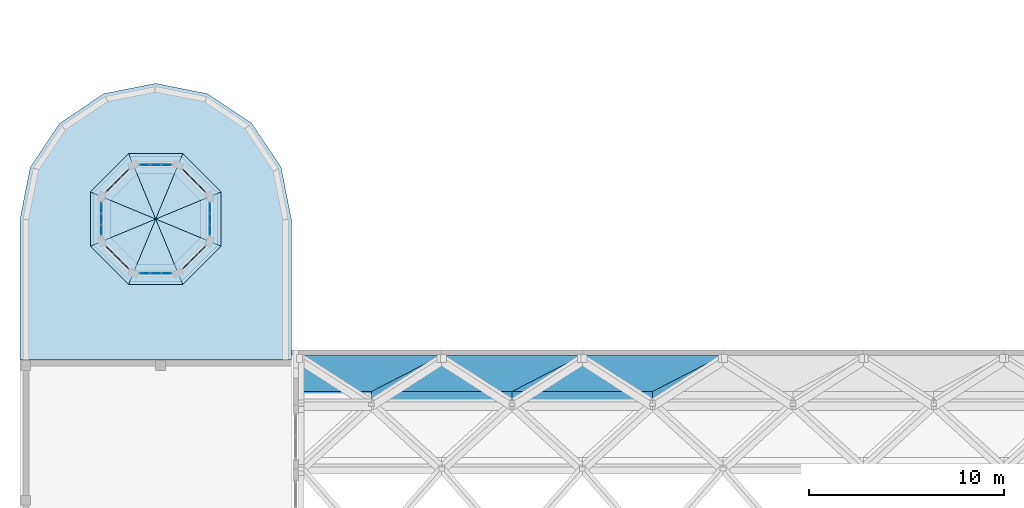
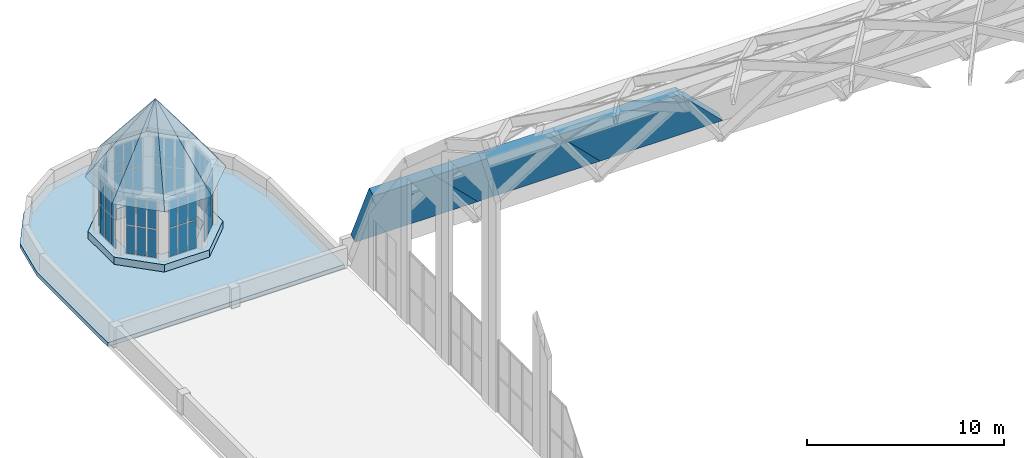
# One storey, part 28 of 52: 48 plates, 13 slabs, 8 elements without a shape of their own.
"""IFC4 building model written with IfcOpenShell, lengths in metres."""

from ifc_helpers import new_model, si_unit, direction, frame, origin, origin_2d, place, context, subcontext, project, spatial, polyline, rectangle, outline, extrude, material, layer, layer_set, type_object, element, aggregate, save


model = new_model("IFC4")

# Units and contexts
model_context = context("Model", 3, precision=1e-05, world=origin(), true_north=direction((0.0, 1.0)))
body_context = subcontext(model_context, "Body", "Model", "MODEL_VIEW")
ifc_project = project(units=[si_unit("LENGTHUNIT", "METRE"), si_unit("AREAUNIT", "SQUARE_METRE"), si_unit("VOLUMEUNIT", "CUBIC_METRE"), si_unit("PLANEANGLEUNIT", "RADIAN"), si_unit("MASSUNIT", "GRAM", prefix="KILO")], contexts=[model_context])

# Site, building, storey
site_placement = place(None, origin())
site = spatial("IfcSite", under=ifc_project, at=site_placement, CompositionType="ELEMENT")
building_placement = place(site_placement, origin())
building = spatial("IfcBuilding", under=site, at=building_placement, Name="Vermilion Court Aquatics Centre", CompositionType="ELEMENT")
storey_placement = place(building_placement, frame((0.0, 0.0, 12.0)))
storey = spatial("IfcBuildingStorey", under=building, at=storey_placement, Name="L02", CompositionType="ELEMENT", Elevation=12.0)

# Curtain wall, plates
ifc_material_1 = material(Name="Aluminium 6063-T5", Category="aluminium")
curtain_wall_type = type_object("IfcCurtainWallType", Name="Rotunda lantern curtain wall", PredefinedType="NOTDEFINED", material=ifc_material_1)
curtain_wall_1_placement = place(storey_placement, origin())
curtain_wall_1 = element("IfcCurtainWall", 1, at=curtain_wall_1_placement, inside=storey, type_object=curtain_wall_type, Name="Rotunda lantern curtain wall", PredefinedType="NOTDEFINED")
ifc_material_2 = material(Name="Glazing", Category="glass")
ifc_layer_1 = layer(ifc_material_2, 0.028076171875)
ifc_layer_set_1 = layer_set([ifc_layer_1], Name="Foyer glazing panel 28")
plate_type = type_object("IfcPlateType", Name="Foyer glazing panel 28", PredefinedType="CURTAIN_PANEL", material=ifc_layer_set_1)
plate_1_placement = place(storey_placement, frame((9.312255859375, 73.5712890625, 0.509765625), z_axis=(0.0, 0.0, 1.0), x_axis=(-0.707106781187, 0.707106781187, 0.0)))
plate_1 = element("IfcPlate", 2, at=plate_1_placement, type_object=plate_type, Name="HRT13 panel 1.1", PredefinedType="CURTAIN_PANEL", context=body_context, shape_type="SweptSolid", body=[
    extrude(rectangle(XDim=0.484375, YDim=0.028076171875, at=origin_2d()), origin(), (0.0, 0.0, 1.0), 1.735107421875),
])
plate_2_placement = place(storey_placement, frame((9.312255859375, 73.5712890625, 2.30517578125), z_axis=(0.0, 0.0, 1.0), x_axis=(-0.707106781187, 0.707106781187, 0.0)))
plate_2 = element("IfcPlate", 3, at=plate_2_placement, type_object=plate_type, Name="HRT13 panel 1.2", PredefinedType="CURTAIN_PANEL", context=body_context, shape_type="SweptSolid", body=[
    extrude(rectangle(XDim=0.484375, YDim=0.028076171875, at=origin_2d()), origin(), (0.0, 0.0, 1.0), 1.735107421875),
])
plate_3_placement = place(storey_placement, frame((8.916748046875, 73.966796875, 0.509765625), z_axis=(0.0, 0.0, 1.0), x_axis=(-0.707106781187, 0.707106781187, 0.0)))
plate_3 = element("IfcPlate", 4, at=plate_3_placement, type_object=plate_type, Name="HRT13 panel 2.1", PredefinedType="CURTAIN_PANEL", context=body_context, shape_type="SweptSolid", body=[
    extrude(rectangle(XDim=0.514404296875, YDim=0.028076171875, at=origin_2d()), origin(), (0.0, 0.0, 1.0), 1.735107421875),
])
plate_4_placement = place(storey_placement, frame((8.916748046875, 73.966796875, 2.30517578125), z_axis=(0.0, 0.0, 1.0), x_axis=(-0.707106781187, 0.707106781187, 0.0)))
plate_4 = element("IfcPlate", 5, at=plate_4_placement, type_object=plate_type, Name="HRT13 panel 2.2", PredefinedType="CURTAIN_PANEL", context=body_context, shape_type="SweptSolid", body=[
    extrude(rectangle(XDim=0.514404296875, YDim=0.028076171875, at=origin_2d()), origin(), (0.0, 0.0, 1.0), 1.735107421875),
])
plate_5_placement = place(storey_placement, frame((8.521240234375, 74.3623046875, 0.509765625), z_axis=(0.0, 0.0, 1.0), x_axis=(-0.707106781187, 0.707106781187, 0.0)))
plate_5 = element("IfcPlate", 6, at=plate_5_placement, type_object=plate_type, Name="HRT13 panel 3.1", PredefinedType="CURTAIN_PANEL", context=body_context, shape_type="SweptSolid", body=[
    extrude(rectangle(XDim=0.484375, YDim=0.028076171875, at=origin_2d()), origin(), (0.0, 0.0, 1.0), 1.735107421875),
])
plate_6_placement = place(storey_placement, frame((8.521240234375, 74.3623046875, 2.30517578125), z_axis=(0.0, 0.0, 1.0), x_axis=(-0.707106781187, 0.707106781187, 0.0)))
plate_6 = element("IfcPlate", 7, at=plate_6_placement, type_object=plate_type, Name="HRT13 panel 3.2", PredefinedType="CURTAIN_PANEL", context=body_context, shape_type="SweptSolid", body=[
    extrude(rectangle(XDim=0.484375, YDim=0.028076171875, at=origin_2d()), origin(), (0.0, 0.0, 1.0), 1.735107421875),
])
aggregate(curtain_wall_1, [plate_1, plate_2, plate_3, plate_4, plate_5, plate_6])

curtain_wall_2_placement = place(storey_placement, origin())
curtain_wall_2 = element("IfcCurtainWall", 8, at=curtain_wall_2_placement, inside=storey, type_object=curtain_wall_type, Name="Rotunda lantern curtain wall", PredefinedType="NOTDEFINED")
plate_7_placement = place(storey_placement, frame((7.50927734375, 74.781494140625, 0.509765625), z_axis=(0.0, 0.0, 1.0), x_axis=(-1.0, 0.0, 0.0)))
plate_7 = element("IfcPlate", 9, at=plate_7_placement, type_object=plate_type, Name="HRT13 panel 1.1", PredefinedType="CURTAIN_PANEL", context=body_context, shape_type="SweptSolid", body=[
    extrude(rectangle(XDim=0.484375, YDim=0.028076171875, at=origin_2d()), origin(), (0.0, 0.0, 1.0), 1.735107421875),
])
plate_8_placement = place(storey_placement, frame((7.50927734375, 74.781494140625, 2.30517578125), z_axis=(0.0, 0.0, 1.0), x_axis=(-1.0, 0.0, 0.0)))
plate_8 = element("IfcPlate", 10, at=plate_8_placement, type_object=plate_type, Name="HRT13 panel 1.2", PredefinedType="CURTAIN_PANEL", context=body_context, shape_type="SweptSolid", body=[
    extrude(rectangle(XDim=0.484375, YDim=0.028076171875, at=origin_2d()), origin(), (0.0, 0.0, 1.0), 1.735107421875),
])
plate_9_placement = place(storey_placement, frame((6.949951171875, 74.781494140625, 0.509765625), z_axis=(0.0, 0.0, 1.0), x_axis=(-1.0, 0.0, 0.0)))
plate_9 = element("IfcPlate", 11, at=plate_9_placement, type_object=plate_type, Name="HRT13 panel 2.1", PredefinedType="CURTAIN_PANEL", context=body_context, shape_type="SweptSolid", body=[
    extrude(rectangle(XDim=0.514404296875, YDim=0.028076171875, at=origin_2d()), origin(), (0.0, 0.0, 1.0), 1.735107421875),
])
plate_10_placement = place(storey_placement, frame((6.949951171875, 74.781494140625, 2.30517578125), z_axis=(0.0, 0.0, 1.0), x_axis=(-1.0, 0.0, 0.0)))
plate_10 = element("IfcPlate", 12, at=plate_10_placement, type_object=plate_type, Name="HRT13 panel 2.2", PredefinedType="CURTAIN_PANEL", context=body_context, shape_type="SweptSolid", body=[
    extrude(rectangle(XDim=0.514404296875, YDim=0.028076171875, at=origin_2d()), origin(), (0.0, 0.0, 1.0), 1.735107421875),
])
plate_11_placement = place(storey_placement, frame((6.390625, 74.781494140625, 0.509765625), z_axis=(0.0, 0.0, 1.0), x_axis=(-1.0, 0.0, 0.0)))
plate_11 = element("IfcPlate", 13, at=plate_11_placement, type_object=plate_type, Name="HRT13 panel 3.1", PredefinedType="CURTAIN_PANEL", context=body_context, shape_type="SweptSolid", body=[
    extrude(rectangle(XDim=0.484375, YDim=0.028076171875, at=origin_2d()), origin(), (0.0, 0.0, 1.0), 1.735107421875),
])
plate_12_placement = place(storey_placement, frame((6.390625, 74.781494140625, 2.30517578125), z_axis=(0.0, 0.0, 1.0), x_axis=(-1.0, 0.0, 0.0)))
plate_12 = element("IfcPlate", 14, at=plate_12_placement, type_object=plate_type, Name="HRT13 panel 3.2", PredefinedType="CURTAIN_PANEL", context=body_context, shape_type="SweptSolid", body=[
    extrude(rectangle(XDim=0.484375, YDim=0.028076171875, at=origin_2d()), origin(), (0.0, 0.0, 1.0), 1.735107421875),
])
aggregate(curtain_wall_2, [plate_7, plate_8, plate_9, plate_10, plate_11, plate_12])

curtain_wall_3_placement = place(storey_placement, origin())
curtain_wall_3 = element("IfcCurtainWall", 15, at=curtain_wall_3_placement, inside=storey, type_object=curtain_wall_type, Name="Rotunda lantern curtain wall", PredefinedType="NOTDEFINED")
plate_13_placement = place(storey_placement, frame((5.378662109375, 74.3623046875, 0.509765625), z_axis=(0.0, 0.0, 1.0), x_axis=(-0.707106781187, -0.707106781187, 0.0)))
plate_13 = element("IfcPlate", 16, at=plate_13_placement, type_object=plate_type, Name="HRT13 panel 1.1", PredefinedType="CURTAIN_PANEL", context=body_context, shape_type="SweptSolid", body=[
    extrude(rectangle(XDim=0.484375, YDim=0.028076171875, at=origin_2d()), origin(), (0.0, 0.0, 1.0), 1.735107421875),
])
plate_14_placement = place(storey_placement, frame((5.378662109375, 74.3623046875, 2.30517578125), z_axis=(0.0, 0.0, 1.0), x_axis=(-0.707106781187, -0.707106781187, 0.0)))
plate_14 = element("IfcPlate", 17, at=plate_14_placement, type_object=plate_type, Name="HRT13 panel 1.2", PredefinedType="CURTAIN_PANEL", context=body_context, shape_type="SweptSolid", body=[
    extrude(rectangle(XDim=0.484375, YDim=0.028076171875, at=origin_2d()), origin(), (0.0, 0.0, 1.0), 1.735107421875),
])
plate_15_placement = place(storey_placement, frame((4.983154296875, 73.966796875, 0.509765625), z_axis=(0.0, 0.0, 1.0), x_axis=(-0.707106781187, -0.707106781187, 0.0)))
plate_15 = element("IfcPlate", 18, at=plate_15_placement, type_object=plate_type, Name="HRT13 panel 2.1", PredefinedType="CURTAIN_PANEL", context=body_context, shape_type="SweptSolid", body=[
    extrude(rectangle(XDim=0.514404296875, YDim=0.028076171875, at=origin_2d()), origin(), (0.0, 0.0, 1.0), 1.735107421875),
])
plate_16_placement = place(storey_placement, frame((4.983154296875, 73.966796875, 2.30517578125), z_axis=(0.0, 0.0, 1.0), x_axis=(-0.707106781187, -0.707106781187, 0.0)))
plate_16 = element("IfcPlate", 19, at=plate_16_placement, type_object=plate_type, Name="HRT13 panel 2.2", PredefinedType="CURTAIN_PANEL", context=body_context, shape_type="SweptSolid", body=[
    extrude(rectangle(XDim=0.514404296875, YDim=0.028076171875, at=origin_2d()), origin(), (0.0, 0.0, 1.0), 1.735107421875),
])
plate_17_placement = place(storey_placement, frame((4.587646484375, 73.5712890625, 0.509765625), z_axis=(0.0, 0.0, 1.0), x_axis=(-0.707106781187, -0.707106781187, 0.0)))
plate_17 = element("IfcPlate", 20, at=plate_17_placement, type_object=plate_type, Name="HRT13 panel 3.1", PredefinedType="CURTAIN_PANEL", context=body_context, shape_type="SweptSolid", body=[
    extrude(rectangle(XDim=0.484375, YDim=0.028076171875, at=origin_2d()), origin(), (0.0, 0.0, 1.0), 1.735107421875),
])
plate_18_placement = place(storey_placement, frame((4.587646484375, 73.5712890625, 2.30517578125), z_axis=(0.0, 0.0, 1.0), x_axis=(-0.707106781187, -0.707106781187, 0.0)))
plate_18 = element("IfcPlate", 21, at=plate_18_placement, type_object=plate_type, Name="HRT13 panel 3.2", PredefinedType="CURTAIN_PANEL", context=body_context, shape_type="SweptSolid", body=[
    extrude(rectangle(XDim=0.484375, YDim=0.028076171875, at=origin_2d()), origin(), (0.0, 0.0, 1.0), 1.735107421875),
])
aggregate(curtain_wall_3, [plate_13, plate_14, plate_15, plate_16, plate_17, plate_18])

curtain_wall_4_placement = place(storey_placement, origin())
curtain_wall_4 = element("IfcCurtainWall", 22, at=curtain_wall_4_placement, inside=storey, type_object=curtain_wall_type, Name="Rotunda lantern curtain wall", PredefinedType="NOTDEFINED")
plate_19_placement = place(storey_placement, frame((4.168701171875, 72.559326171875, 0.509765625), z_axis=(0.0, 0.0, 1.0), x_axis=(0.0, -1.0, 0.0)))
plate_19 = element("IfcPlate", 23, at=plate_19_placement, type_object=plate_type, Name="HRT13 panel 1.1", PredefinedType="CURTAIN_PANEL", context=body_context, shape_type="SweptSolid", body=[
    extrude(rectangle(XDim=0.484375, YDim=0.028076171875, at=origin_2d()), origin(), (0.0, 0.0, 1.0), 1.735107421875),
])
plate_20_placement = place(storey_placement, frame((4.168701171875, 72.559326171875, 2.30517578125), z_axis=(0.0, 0.0, 1.0), x_axis=(0.0, -1.0, 0.0)))
plate_20 = element("IfcPlate", 24, at=plate_20_placement, type_object=plate_type, Name="HRT13 panel 1.2", PredefinedType="CURTAIN_PANEL", context=body_context, shape_type="SweptSolid", body=[
    extrude(rectangle(XDim=0.484375, YDim=0.028076171875, at=origin_2d()), origin(), (0.0, 0.0, 1.0), 1.735107421875),
])
plate_21_placement = place(storey_placement, frame((4.168701171875, 72.0, 0.509765625), z_axis=(0.0, 0.0, 1.0), x_axis=(0.0, -1.0, 0.0)))
plate_21 = element("IfcPlate", 25, at=plate_21_placement, type_object=plate_type, Name="HRT13 panel 2.1", PredefinedType="CURTAIN_PANEL", context=body_context, shape_type="SweptSolid", body=[
    extrude(rectangle(XDim=0.514404296875, YDim=0.028076171875, at=origin_2d()), origin(), (0.0, 0.0, 1.0), 1.735107421875),
])
plate_22_placement = place(storey_placement, frame((4.168701171875, 72.0, 2.30517578125), z_axis=(0.0, 0.0, 1.0), x_axis=(0.0, -1.0, 0.0)))
plate_22 = element("IfcPlate", 26, at=plate_22_placement, type_object=plate_type, Name="HRT13 panel 2.2", PredefinedType="CURTAIN_PANEL", context=body_context, shape_type="SweptSolid", body=[
    extrude(rectangle(XDim=0.514404296875, YDim=0.028076171875, at=origin_2d()), origin(), (0.0, 0.0, 1.0), 1.735107421875),
])
plate_23_placement = place(storey_placement, frame((4.168701171875, 71.440673828125, 0.509765625), z_axis=(0.0, 0.0, 1.0), x_axis=(0.0, -1.0, 0.0)))
plate_23 = element("IfcPlate", 27, at=plate_23_placement, type_object=plate_type, Name="HRT13 panel 3.1", PredefinedType="CURTAIN_PANEL", context=body_context, shape_type="SweptSolid", body=[
    extrude(rectangle(XDim=0.484375, YDim=0.028076171875, at=origin_2d()), origin(), (0.0, 0.0, 1.0), 1.735107421875),
])
plate_24_placement = place(storey_placement, frame((4.168701171875, 71.440673828125, 2.30517578125), z_axis=(0.0, 0.0, 1.0), x_axis=(0.0, -1.0, 0.0)))
plate_24 = element("IfcPlate", 28, at=plate_24_placement, type_object=plate_type, Name="HRT13 panel 3.2", PredefinedType="CURTAIN_PANEL", context=body_context, shape_type="SweptSolid", body=[
    extrude(rectangle(XDim=0.484375, YDim=0.028076171875, at=origin_2d()), origin(), (0.0, 0.0, 1.0), 1.735107421875),
])
aggregate(curtain_wall_4, [plate_19, plate_20, plate_21, plate_22, plate_23, plate_24])

curtain_wall_5_placement = place(storey_placement, origin())
curtain_wall_5 = element("IfcCurtainWall", 29, at=curtain_wall_5_placement, inside=storey, type_object=curtain_wall_type, Name="Rotunda lantern curtain wall", PredefinedType="NOTDEFINED")
plate_25_placement = place(storey_placement, frame((4.587646484375, 70.4287109375, 0.509765625), z_axis=(0.0, 0.0, 1.0), x_axis=(0.707106781187, -0.707106781187, 0.0)))
plate_25 = element("IfcPlate", 30, at=plate_25_placement, type_object=plate_type, Name="HRT13 panel 1.1", PredefinedType="CURTAIN_PANEL", context=body_context, shape_type="SweptSolid", body=[
    extrude(rectangle(XDim=0.484375, YDim=0.028076171875, at=origin_2d()), origin(), (0.0, 0.0, 1.0), 1.735107421875),
])
plate_26_placement = place(storey_placement, frame((4.587646484375, 70.4287109375, 2.30517578125), z_axis=(0.0, 0.0, 1.0), x_axis=(0.707106781187, -0.707106781187, 0.0)))
plate_26 = element("IfcPlate", 31, at=plate_26_placement, type_object=plate_type, Name="HRT13 panel 1.2", PredefinedType="CURTAIN_PANEL", context=body_context, shape_type="SweptSolid", body=[
    extrude(rectangle(XDim=0.484375, YDim=0.028076171875, at=origin_2d()), origin(), (0.0, 0.0, 1.0), 1.735107421875),
])
plate_27_placement = place(storey_placement, frame((4.983154296875, 70.033203125, 0.509765625), z_axis=(0.0, 0.0, 1.0), x_axis=(0.707106781187, -0.707106781187, 0.0)))
plate_27 = element("IfcPlate", 32, at=plate_27_placement, type_object=plate_type, Name="HRT13 panel 2.1", PredefinedType="CURTAIN_PANEL", context=body_context, shape_type="SweptSolid", body=[
    extrude(rectangle(XDim=0.514404296875, YDim=0.028076171875, at=origin_2d()), origin(), (0.0, 0.0, 1.0), 1.735107421875),
])
plate_28_placement = place(storey_placement, frame((4.983154296875, 70.033203125, 2.30517578125), z_axis=(0.0, 0.0, 1.0), x_axis=(0.707106781187, -0.707106781187, 0.0)))
plate_28 = element("IfcPlate", 33, at=plate_28_placement, type_object=plate_type, Name="HRT13 panel 2.2", PredefinedType="CURTAIN_PANEL", context=body_context, shape_type="SweptSolid", body=[
    extrude(rectangle(XDim=0.514404296875, YDim=0.028076171875, at=origin_2d()), origin(), (0.0, 0.0, 1.0), 1.735107421875),
])
plate_29_placement = place(storey_placement, frame((5.378662109375, 69.6376953125, 0.509765625), z_axis=(0.0, 0.0, 1.0), x_axis=(0.707106781187, -0.707106781187, 0.0)))
plate_29 = element("IfcPlate", 34, at=plate_29_placement, type_object=plate_type, Name="HRT13 panel 3.1", PredefinedType="CURTAIN_PANEL", context=body_context, shape_type="SweptSolid", body=[
    extrude(rectangle(XDim=0.484375, YDim=0.028076171875, at=origin_2d()), origin(), (0.0, 0.0, 1.0), 1.735107421875),
])
plate_30_placement = place(storey_placement, frame((5.378662109375, 69.6376953125, 2.30517578125), z_axis=(0.0, 0.0, 1.0), x_axis=(0.707106781187, -0.707106781187, 0.0)))
plate_30 = element("IfcPlate", 35, at=plate_30_placement, type_object=plate_type, Name="HRT13 panel 3.2", PredefinedType="CURTAIN_PANEL", context=body_context, shape_type="SweptSolid", body=[
    extrude(rectangle(XDim=0.484375, YDim=0.028076171875, at=origin_2d()), origin(), (0.0, 0.0, 1.0), 1.735107421875),
])
aggregate(curtain_wall_5, [plate_25, plate_26, plate_27, plate_28, plate_29, plate_30])

curtain_wall_6_placement = place(storey_placement, origin())
curtain_wall_6 = element("IfcCurtainWall", 36, at=curtain_wall_6_placement, inside=storey, type_object=curtain_wall_type, Name="Rotunda lantern curtain wall", PredefinedType="NOTDEFINED")
plate_31_placement = place(storey_placement, frame((6.390625, 69.218505859375, 0.509765625), z_axis=(0.0, 0.0, 1.0), x_axis=(1.0, 0.0, 0.0)))
plate_31 = element("IfcPlate", 37, at=plate_31_placement, type_object=plate_type, Name="HRT13 panel 1.1", PredefinedType="CURTAIN_PANEL", context=body_context, shape_type="SweptSolid", body=[
    extrude(rectangle(XDim=0.484375, YDim=0.028076171875, at=origin_2d()), origin(), (0.0, 0.0, 1.0), 1.735107421875),
])
plate_32_placement = place(storey_placement, frame((6.390625, 69.218505859375, 2.30517578125), z_axis=(0.0, 0.0, 1.0), x_axis=(1.0, 0.0, 0.0)))
plate_32 = element("IfcPlate", 38, at=plate_32_placement, type_object=plate_type, Name="HRT13 panel 1.2", PredefinedType="CURTAIN_PANEL", context=body_context, shape_type="SweptSolid", body=[
    extrude(rectangle(XDim=0.484375, YDim=0.028076171875, at=origin_2d()), origin(), (0.0, 0.0, 1.0), 1.735107421875),
])
plate_33_placement = place(storey_placement, frame((6.949951171875, 69.218505859375, 0.509765625), z_axis=(0.0, 0.0, 1.0), x_axis=(1.0, 0.0, 0.0)))
plate_33 = element("IfcPlate", 39, at=plate_33_placement, type_object=plate_type, Name="HRT13 panel 2.1", PredefinedType="CURTAIN_PANEL", context=body_context, shape_type="SweptSolid", body=[
    extrude(rectangle(XDim=0.514404296875, YDim=0.028076171875, at=origin_2d()), origin(), (0.0, 0.0, 1.0), 1.735107421875),
])
plate_34_placement = place(storey_placement, frame((6.949951171875, 69.218505859375, 2.30517578125), z_axis=(0.0, 0.0, 1.0), x_axis=(1.0, 0.0, 0.0)))
plate_34 = element("IfcPlate", 40, at=plate_34_placement, type_object=plate_type, Name="HRT13 panel 2.2", PredefinedType="CURTAIN_PANEL", context=body_context, shape_type="SweptSolid", body=[
    extrude(rectangle(XDim=0.514404296875, YDim=0.028076171875, at=origin_2d()), origin(), (0.0, 0.0, 1.0), 1.735107421875),
])
plate_35_placement = place(storey_placement, frame((7.50927734375, 69.218505859375, 0.509765625), z_axis=(0.0, 0.0, 1.0), x_axis=(1.0, 0.0, 0.0)))
plate_35 = element("IfcPlate", 41, at=plate_35_placement, type_object=plate_type, Name="HRT13 panel 3.1", PredefinedType="CURTAIN_PANEL", context=body_context, shape_type="SweptSolid", body=[
    extrude(rectangle(XDim=0.484375, YDim=0.028076171875, at=origin_2d()), origin(), (0.0, 0.0, 1.0), 1.735107421875),
])
plate_36_placement = place(storey_placement, frame((7.50927734375, 69.218505859375, 2.30517578125), z_axis=(0.0, 0.0, 1.0), x_axis=(1.0, 0.0, 0.0)))
plate_36 = element("IfcPlate", 42, at=plate_36_placement, type_object=plate_type, Name="HRT13 panel 3.2", PredefinedType="CURTAIN_PANEL", context=body_context, shape_type="SweptSolid", body=[
    extrude(rectangle(XDim=0.484375, YDim=0.028076171875, at=origin_2d()), origin(), (0.0, 0.0, 1.0), 1.735107421875),
])
aggregate(curtain_wall_6, [plate_31, plate_32, plate_33, plate_34, plate_35, plate_36])

curtain_wall_7_placement = place(storey_placement, origin())
curtain_wall_7 = element("IfcCurtainWall", 43, at=curtain_wall_7_placement, inside=storey, type_object=curtain_wall_type, Name="Rotunda lantern curtain wall", PredefinedType="NOTDEFINED")
plate_37_placement = place(storey_placement, frame((8.521240234375, 69.6376953125, 0.509765625), z_axis=(0.0, 0.0, 1.0), x_axis=(0.707106781187, 0.707106781187, 0.0)))
plate_37 = element("IfcPlate", 44, at=plate_37_placement, type_object=plate_type, Name="HRT13 panel 1.1", PredefinedType="CURTAIN_PANEL", context=body_context, shape_type="SweptSolid", body=[
    extrude(rectangle(XDim=0.484375, YDim=0.028076171875, at=origin_2d()), origin(), (0.0, 0.0, 1.0), 1.735107421875),
])
plate_38_placement = place(storey_placement, frame((8.521240234375, 69.6376953125, 2.30517578125), z_axis=(0.0, 0.0, 1.0), x_axis=(0.707106781187, 0.707106781187, 0.0)))
plate_38 = element("IfcPlate", 45, at=plate_38_placement, type_object=plate_type, Name="HRT13 panel 1.2", PredefinedType="CURTAIN_PANEL", context=body_context, shape_type="SweptSolid", body=[
    extrude(rectangle(XDim=0.484375, YDim=0.028076171875, at=origin_2d()), origin(), (0.0, 0.0, 1.0), 1.735107421875),
])
plate_39_placement = place(storey_placement, frame((8.916748046875, 70.033203125, 0.509765625), z_axis=(0.0, 0.0, 1.0), x_axis=(0.707106781187, 0.707106781187, 0.0)))
plate_39 = element("IfcPlate", 46, at=plate_39_placement, type_object=plate_type, Name="HRT13 panel 2.1", PredefinedType="CURTAIN_PANEL", context=body_context, shape_type="SweptSolid", body=[
    extrude(rectangle(XDim=0.514404296875, YDim=0.028076171875, at=origin_2d()), origin(), (0.0, 0.0, 1.0), 1.735107421875),
])
plate_40_placement = place(storey_placement, frame((8.916748046875, 70.033203125, 2.30517578125), z_axis=(0.0, 0.0, 1.0), x_axis=(0.707106781187, 0.707106781187, 0.0)))
plate_40 = element("IfcPlate", 47, at=plate_40_placement, type_object=plate_type, Name="HRT13 panel 2.2", PredefinedType="CURTAIN_PANEL", context=body_context, shape_type="SweptSolid", body=[
    extrude(rectangle(XDim=0.514404296875, YDim=0.028076171875, at=origin_2d()), origin(), (0.0, 0.0, 1.0), 1.735107421875),
])
plate_41_placement = place(storey_placement, frame((9.312255859375, 70.4287109375, 0.509765625), z_axis=(0.0, 0.0, 1.0), x_axis=(0.707106781187, 0.707106781187, 0.0)))
plate_41 = element("IfcPlate", 48, at=plate_41_placement, type_object=plate_type, Name="HRT13 panel 3.1", PredefinedType="CURTAIN_PANEL", context=body_context, shape_type="SweptSolid", body=[
    extrude(rectangle(XDim=0.484375, YDim=0.028076171875, at=origin_2d()), origin(), (0.0, 0.0, 1.0), 1.735107421875),
])
plate_42_placement = place(storey_placement, frame((9.312255859375, 70.4287109375, 2.30517578125), z_axis=(0.0, 0.0, 1.0), x_axis=(0.707106781187, 0.707106781187, 0.0)))
plate_42 = element("IfcPlate", 49, at=plate_42_placement, type_object=plate_type, Name="HRT13 panel 3.2", PredefinedType="CURTAIN_PANEL", context=body_context, shape_type="SweptSolid", body=[
    extrude(rectangle(XDim=0.484375, YDim=0.028076171875, at=origin_2d()), origin(), (0.0, 0.0, 1.0), 1.735107421875),
])
aggregate(curtain_wall_7, [plate_37, plate_38, plate_39, plate_40, plate_41, plate_42])

curtain_wall_8_placement = place(storey_placement, origin())
curtain_wall_8 = element("IfcCurtainWall", 50, at=curtain_wall_8_placement, inside=storey, type_object=curtain_wall_type, Name="Rotunda lantern curtain wall", PredefinedType="NOTDEFINED")
plate_43_placement = place(storey_placement, frame((9.7314453125, 71.440673828125, 0.509765625), z_axis=(0.0, 0.0, 1.0), x_axis=(0.0, 1.0, 0.0)))
plate_43 = element("IfcPlate", 51, at=plate_43_placement, type_object=plate_type, Name="HRT13 panel 1.1", PredefinedType="CURTAIN_PANEL", context=body_context, shape_type="SweptSolid", body=[
    extrude(rectangle(XDim=0.484375, YDim=0.028076171875, at=origin_2d()), origin(), (0.0, 0.0, 1.0), 1.735107421875),
])
plate_44_placement = place(storey_placement, frame((9.7314453125, 71.440673828125, 2.30517578125), z_axis=(0.0, 0.0, 1.0), x_axis=(0.0, 1.0, 0.0)))
plate_44 = element("IfcPlate", 52, at=plate_44_placement, type_object=plate_type, Name="HRT13 panel 1.2", PredefinedType="CURTAIN_PANEL", context=body_context, shape_type="SweptSolid", body=[
    extrude(rectangle(XDim=0.484375, YDim=0.028076171875, at=origin_2d()), origin(), (0.0, 0.0, 1.0), 1.735107421875),
])
plate_45_placement = place(storey_placement, frame((9.7314453125, 72.0, 0.509765625), z_axis=(0.0, 0.0, 1.0), x_axis=(0.0, 1.0, 0.0)))
plate_45 = element("IfcPlate", 53, at=plate_45_placement, type_object=plate_type, Name="HRT13 panel 2.1", PredefinedType="CURTAIN_PANEL", context=body_context, shape_type="SweptSolid", body=[
    extrude(rectangle(XDim=0.514404296875, YDim=0.028076171875, at=origin_2d()), origin(), (0.0, 0.0, 1.0), 1.735107421875),
])
plate_46_placement = place(storey_placement, frame((9.7314453125, 72.0, 2.30517578125), z_axis=(0.0, 0.0, 1.0), x_axis=(0.0, 1.0, 0.0)))
plate_46 = element("IfcPlate", 54, at=plate_46_placement, type_object=plate_type, Name="HRT13 panel 2.2", PredefinedType="CURTAIN_PANEL", context=body_context, shape_type="SweptSolid", body=[
    extrude(rectangle(XDim=0.514404296875, YDim=0.028076171875, at=origin_2d()), origin(), (0.0, 0.0, 1.0), 1.735107421875),
])
plate_47_placement = place(storey_placement, frame((9.7314453125, 72.559326171875, 0.509765625), z_axis=(0.0, 0.0, 1.0), x_axis=(0.0, 1.0, 0.0)))
plate_47 = element("IfcPlate", 55, at=plate_47_placement, type_object=plate_type, Name="HRT13 panel 3.1", PredefinedType="CURTAIN_PANEL", context=body_context, shape_type="SweptSolid", body=[
    extrude(rectangle(XDim=0.484375, YDim=0.028076171875, at=origin_2d()), origin(), (0.0, 0.0, 1.0), 1.735107421875),
])
plate_48_placement = place(storey_placement, frame((9.7314453125, 72.559326171875, 2.30517578125), z_axis=(0.0, 0.0, 1.0), x_axis=(0.0, 1.0, 0.0)))
plate_48 = element("IfcPlate", 56, at=plate_48_placement, type_object=plate_type, Name="HRT13 panel 3.2", PredefinedType="CURTAIN_PANEL", context=body_context, shape_type="SweptSolid", body=[
    extrude(rectangle(XDim=0.484375, YDim=0.028076171875, at=origin_2d()), origin(), (0.0, 0.0, 1.0), 1.735107421875),
])
aggregate(curtain_wall_8, [plate_43, plate_44, plate_45, plate_46, plate_47, plate_48])

# Slabs
ifc_material_3 = material(Name="Concrete 5000 psi", Category="concrete")
ifc_layer_2 = layer(ifc_material_3, 0.25)
ifc_layer_set_2 = layer_set([ifc_layer_2], Name="Foyer roof slab 250")
slab_type_1 = type_object("IfcSlabType", Name="Foyer roof slab 250", PredefinedType="ROOF", material=ifc_layer_set_2)
slab_1_placement = place(storey_placement, frame((0.0, 0.0, -0.25)))
element("IfcSlab", 57, at=slab_1_placement, inside=storey, type_object=slab_type_1, Name="Rotunda roof slab", PredefinedType="ROOF", context=body_context, shape_type="SweptSolid", body=[
    extrude(outline(polyline([(0.0, 64.800048828125), (13.89990234375, 64.800048828125), (13.89990234375, 72.0), (13.37109375, 74.65966796875), (11.864501953125, 76.914306640625), (9.609619140625, 78.4208984375), (6.949951171875, 78.949951171875), (4.290283203125, 78.4208984375), (2.03564453125, 76.914306640625), (0.529052734375, 74.65966796875), (0.0, 72.0), (0.0, 64.800048828125)]), holes=[polyline([(10.14990234375, 73.325439453125), (8.275390625, 75.199951171875), (5.62451171875, 75.199951171875), (3.75, 73.325439453125), (3.75, 70.674560546875), (5.62451171875, 68.800048828125), (8.275390625, 68.800048828125), (10.14990234375, 70.674560546875), (10.14990234375, 73.325439453125)])]), origin(), (0.0, 0.0, 1.0), 0.25),
])
ifc_material_4 = material(Name="Zinc standing seam sheet", Category="metal")
ifc_layer_3 = layer(ifc_material_4, 0.5)
ifc_layer_set_3 = layer_set([ifc_layer_3], Name="Roof insulated cover panel")
slab_type_2 = type_object("IfcSlabType", Name="Roof insulated cover panel", PredefinedType="ROOF", material=ifc_layer_set_3)
slab_2_placement = place(storey_placement, frame((14.39990234375, 63.16943359375, 5.553466796875), z_axis=(0.0, 0.907449295739, 0.420161606603), x_axis=(1.0, 0.0, 0.0)))
element("IfcSlab", 58, at=slab_2_placement, inside=storey, type_object=slab_type_2, Name="Roof panel RP-11-00", PredefinedType="ROOF", context=body_context, shape_type="SweptSolid", body=[
    extrude(outline(polyline([(0.0, 0.0), (3.60009765625, 0.0), (7.2001953125, 4.404462255515163), (0.0, 4.404462255515163), (0.0, 0.0)])), origin(), (0.0, 0.0, -1.0), 0.5),
])
for number, where, z_axis, x_axis, name in (
    (59, (18.0, 63.16943359375, 5.553466796875), (0.0, 0.907449295739, 0.420161606603), (1.0, 0.0, 0.0), "Roof panel RP-11-01"),
    (60, (25.199951171875, 63.16943359375, 5.553466796875), (0.0, 0.907449295739, 0.420161606603), (1.0, 0.0, 0.0), "Roof panel RP-11-02"),
):
    element("IfcSlab", number, at=place(storey_placement, frame(where, z_axis=z_axis, x_axis=x_axis)), inside=storey, type_object=slab_type_2, Name=name, PredefinedType="ROOF", context=body_context, shape_type="SweptSolid", body=[
        extrude(outline(polyline([(0.0, 0.0), (7.199951171875, 0.0), (10.800048828125, 4.404462255515163), (3.60009765625, 4.404462255515163), (0.0, 0.0)])), origin(), (0.0, 0.0, -1.0), 0.5),
    ])
ifc_material_5 = material(Name="Zinc standing seam sheet", Category="metal")
ifc_layer_4 = layer(ifc_material_5, 0.034912109375)
ifc_layer_set_4 = layer_set([ifc_layer_4], Name="Rotunda cap roof panel 35")
slab_type_3 = type_object("IfcSlabType", Name="Rotunda cap roof panel 35", PredefinedType="ROOF", material=ifc_layer_set_4)
slab_3_placement = place(storey_placement, frame((10.300048828125, 73.3876953125, 3.844482421875), z_axis=(0.569648345017, 0.569648345017, 0.592453817643), x_axis=(-0.707106781187, 0.707106781187, 0.0)))
element("IfcSlab", 61, at=slab_3_placement, inside=storey, type_object=slab_type_3, Name="Rotunda cap roof panel", PredefinedType="ROOF", context=body_context, shape_type="SweptSolid", body=[
    extrude(outline(polyline([(0.0, 0.0), (2.7752560093639986, 0.0), (1.3876280046819995, 5.654661066057285), (0.0, 0.0)])), origin(), (0.0, 0.0, -1.0), 0.034912109375),
])
slab_4_placement = place(storey_placement, frame((8.337646484375, 75.35009765625, 3.844482421875), z_axis=(0.0, 0.805606768511, 0.592450617799), x_axis=(-1.0, 0.0, 0.0)))
element("IfcSlab", 62, at=slab_4_placement, inside=storey, type_object=slab_type_3, Name="Rotunda cap roof panel", PredefinedType="ROOF", context=body_context, shape_type="SweptSolid", body=[
    extrude(outline(polyline([(0.0, 0.0), (2.775146484375, 0.0), (1.3876953125, 5.654644548601386), (0.0, 0.0)])), origin(), (0.0, 0.0, -1.0), 0.034912109375),
])
slab_5_placement = place(storey_placement, frame((5.5625, 75.35009765625, 3.844482421875), z_axis=(-0.569658648413, 0.569658648413, 0.592434003562), x_axis=(-0.707106781187, -0.707106781187, 0.0)))
element("IfcSlab", 63, at=slab_5_placement, inside=storey, type_object=slab_type_3, Name="Rotunda cap roof panel", PredefinedType="ROOF", context=body_context, shape_type="SweptSolid", body=[
    extrude(outline(polyline([(0.0, 0.0), (2.7752560093639986, 0.0), (1.3878006381735002, 5.654558790396463), (0.0, 0.0)])), origin(), (0.0, 0.0, -1.0), 0.034912109375),
])
slab_6_placement = place(storey_placement, frame((3.60009765625, 73.3876953125, 3.844482421875), z_axis=(-0.805627375324, 0.0, 0.592422595896), x_axis=(0.0, -1.0, 0.0)))
element("IfcSlab", 64, at=slab_6_placement, inside=storey, type_object=slab_type_3, Name="Rotunda cap roof panel", PredefinedType="ROOF", context=body_context, shape_type="SweptSolid", body=[
    extrude(outline(polyline([(0.0, 0.0), (2.775390625, 0.0), (1.3876953125, 5.654499910757874), (0.0, 0.0)])), origin(), (0.0, 0.0, -1.0), 0.034912109375),
])
slab_7_placement = place(storey_placement, frame((3.60009765625, 70.6123046875, 3.844482421875), z_axis=(-0.569658648413, -0.569658648413, 0.592434003562), x_axis=(0.707106781187, -0.707106781187, 0.0)))
element("IfcSlab", 65, at=slab_7_placement, inside=storey, type_object=slab_type_3, Name="Rotunda cap roof panel", PredefinedType="ROOF", context=body_context, shape_type="SweptSolid", body=[
    extrude(outline(polyline([(0.0, 0.0), (2.7752560093639986, 0.0), (1.3874553711904989, 5.654558790396463), (0.0, 0.0)])), origin(), (0.0, 0.0, -1.0), 0.034912109375),
])
slab_8_placement = place(storey_placement, frame((5.5625, 68.64990234375, 3.844482421875), z_axis=(0.0, -0.805606768511, 0.592450617799), x_axis=(1.0, 0.0, 0.0)))
element("IfcSlab", 66, at=slab_8_placement, inside=storey, type_object=slab_type_3, Name="Rotunda cap roof panel", PredefinedType="ROOF", context=body_context, shape_type="SweptSolid", body=[
    extrude(outline(polyline([(0.0, 0.0), (2.775146484375, 0.0), (1.387451171875, 5.654644548601386), (0.0, 0.0)])), origin(), (0.0, 0.0, -1.0), 0.034912109375),
])
slab_9_placement = place(storey_placement, frame((8.337646484375, 68.64990234375, 3.844482421875), z_axis=(0.569648345017, -0.569648345017, 0.592453817643), x_axis=(0.707106781187, 0.707106781187, 0.0)))
element("IfcSlab", 67, at=slab_9_placement, inside=storey, type_object=slab_type_3, Name="Rotunda cap roof panel", PredefinedType="ROOF", context=body_context, shape_type="SweptSolid", body=[
    extrude(outline(polyline([(0.0, 0.0), (2.7752560093639986, 0.0), (1.3876280046819995, 5.654661066057285), (0.0, 0.0)])), origin(), (0.0, 0.0, -1.0), 0.034912109375),
])
slab_10_placement = place(storey_placement, frame((10.300048828125, 70.6123046875, 3.844482421875), z_axis=(0.805606768511, 0.0, 0.592450617799), x_axis=(0.0, 1.0, 0.0)))
element("IfcSlab", 68, at=slab_10_placement, inside=storey, type_object=slab_type_3, Name="Rotunda cap roof panel", PredefinedType="ROOF", context=body_context, shape_type="SweptSolid", body=[
    extrude(outline(polyline([(0.0, 0.0), (2.775390625, 0.0), (1.3876953125, 5.654644548601386), (0.0, 0.0)])), origin(), (0.0, 0.0, -1.0), 0.034912109375),
])
ifc_material_6 = material(Name="Concrete 5000 psi", Category="concrete")
ifc_layer_5 = layer(ifc_material_6, 0.699951171875)
ifc_layer_set_5 = layer_set([ifc_layer_5], Name="Rotunda lantern kerb 700")
slab_type_4 = type_object("IfcSlabType", Name="Rotunda lantern kerb 700", PredefinedType="ROOF", material=ifc_layer_set_5)
slab_11_placement = place(storey_placement, frame((0.0, 0.0, -0.25)))
element("IfcSlab", 69, at=slab_11_placement, inside=storey, type_object=slab_type_4, Name="Rotunda lantern kerb", PredefinedType="ROOF", context=body_context, shape_type="SweptSolid", body=[
    extrude(outline(polyline([(10.14990234375, 73.325439453125), (8.275390625, 75.199951171875), (5.62451171875, 75.199951171875), (3.75, 73.325439453125), (3.75, 70.674560546875), (5.62451171875, 68.800048828125), (8.275390625, 68.800048828125), (10.14990234375, 70.674560546875), (10.14990234375, 73.325439453125)]), holes=[polyline([(9.25, 72.95263671875), (7.902587890625, 74.300048828125), (5.997314453125, 74.300048828125), (4.64990234375, 72.95263671875), (4.64990234375, 71.04736328125), (5.997314453125, 69.699951171875), (7.902587890625, 69.699951171875), (9.25, 71.04736328125), (9.25, 72.95263671875)])]), origin(), (0.0, 0.0, 1.0), 0.699951171875),
])

save(model, "model.ifc")
